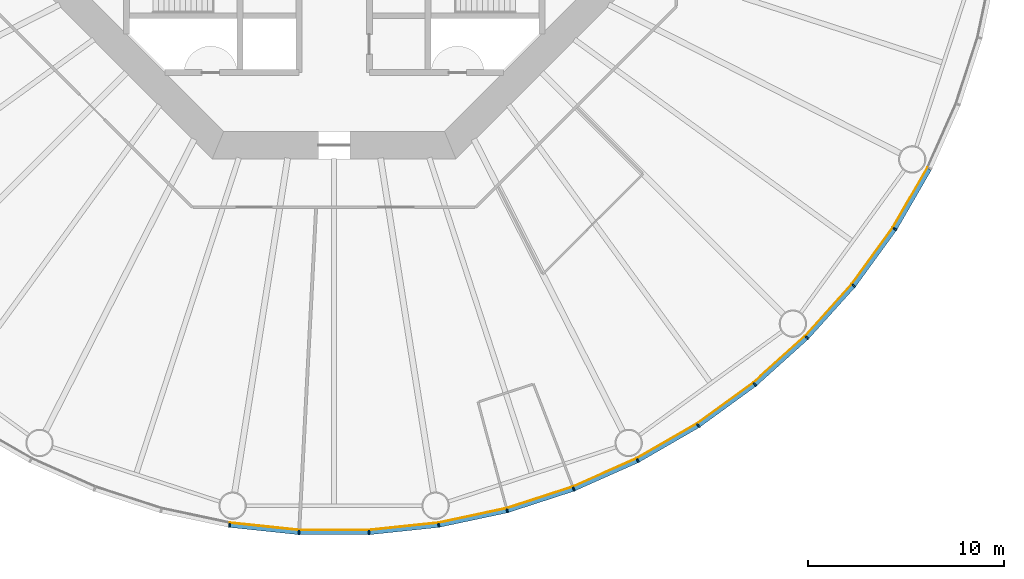
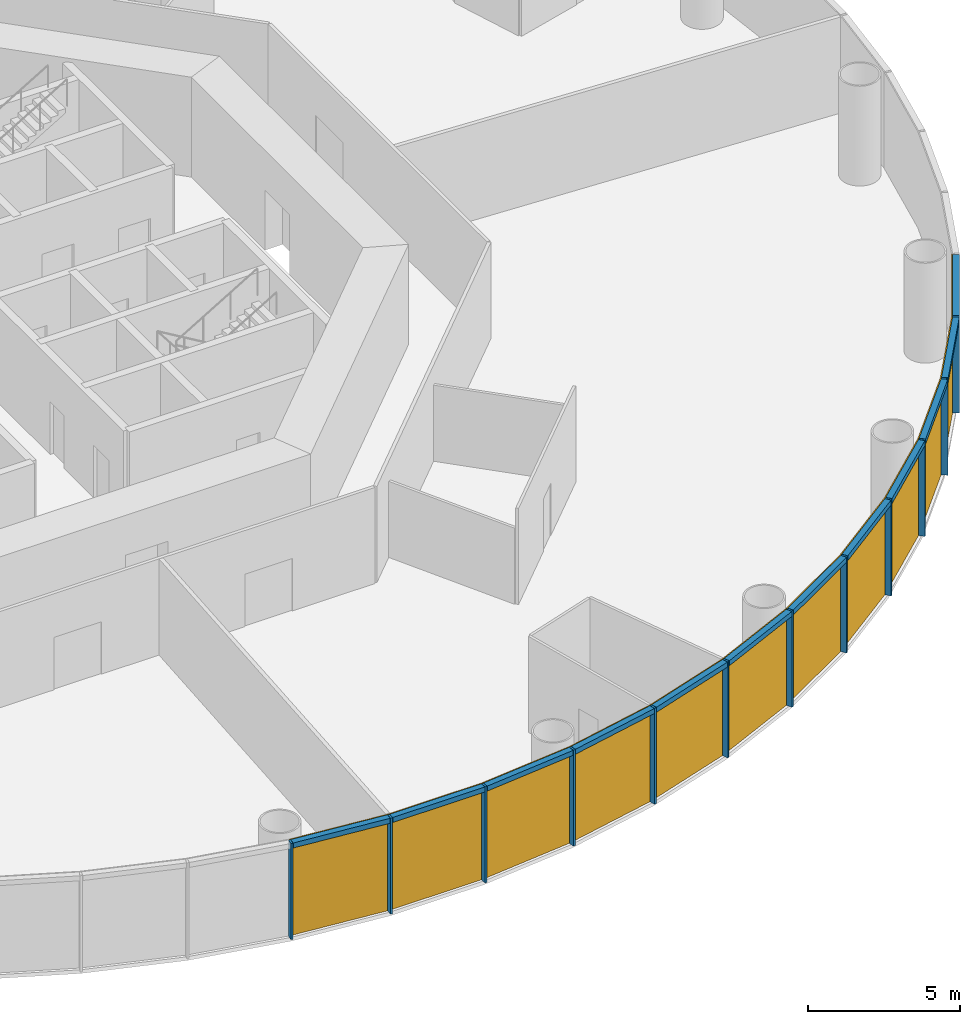
# One storey, part 7 of 12: 24 members, 4 curtain walls.
"""IFC4 building model written with IfcOpenShell, lengths in metres."""

from ifc_helpers import new_model, si_unit, direction, frame, origin, origin_2d, place, context, subcontext, project, spatial, polyline, rectangle, outline, extrude, material, layer, layer_set, material_profile, profile_set, type_object, element, aggregate, save


model = new_model("IFC4")

# Units and contexts
model_context = context("Model", 3, precision=1e-05, world=origin(), true_north=direction((0.0, 1.0)))
body_context = subcontext(model_context, "Body", "Model", "MODEL_VIEW")
ifc_project = project(units=[si_unit("LENGTHUNIT", "METRE"), si_unit("AREAUNIT", "SQUARE_METRE"), si_unit("VOLUMEUNIT", "CUBIC_METRE"), si_unit("PLANEANGLEUNIT", "RADIAN"), si_unit("MASSUNIT", "GRAM", prefix="KILO")], contexts=[model_context])

# Member
ifc_material_1 = material(Name="Anodised aluminium", Category="aluminium")
ifc_material_profile_1 = material_profile(ifc_material_1, rectangle(XDim=0.074951171875, YDim=0.219970703125, at=origin_2d()), Name="Mullion 75 x 220 mm anodised aluminium")
ifc_profile_set_1 = profile_set([ifc_material_profile_1], Name="Anodised aluminium")
member_type_1 = type_object("IfcMemberType", Name="Mullion 75 x 220 mm anodised aluminium", PredefinedType="MULLION", material=ifc_profile_set_1)
site_placement = place(None, origin())
building_placement = place(site_placement, origin())
storey_placement = place(building_placement, frame((0.0, 0.0, 66.0)))
member_1_placement = place(storey_placement, frame((84.6640625, 46.31005859375, 0.0), z_axis=(0.0, 0.0, 1.0), x_axis=(0.987688340595, -0.15643446504, 0.0)))
member_1 = element("IfcMember", 1, at=member_1_placement, type_object=member_type_1, Name="MULLION L14-42", PredefinedType="MULLION", context=body_context, shape_type="SweptSolid", body=[
    extrude(rectangle(XDim=0.074951171875, YDim=0.219970703125, at=origin_2d()), origin(), (0.0, 0.0, 1.0), 3.85009765625),
])

member_2_placement = place(storey_placement, frame((88.21484375, 45.936767578125, 0.0), z_axis=(0.0, 0.0, 1.0), x_axis=(0.998629534755, -0.052335956243, 0.0)))
member_2 = element("IfcMember", 2, at=member_2_placement, type_object=member_type_1, Name="MULLION L14-43", PredefinedType="MULLION", context=body_context, shape_type="SweptSolid", body=[
    extrude(rectangle(XDim=0.074951171875, YDim=0.219970703125, at=origin_2d()), origin(), (0.0, 0.0, 1.0), 3.85009765625),
])

member_3_placement = place(storey_placement, frame((91.78515625, 45.936767578125, 0.0), z_axis=(0.0, 0.0, 1.0), x_axis=(0.998629534755, 0.052335956243, 0.0)))
member_3 = element("IfcMember", 3, at=member_3_placement, type_object=member_type_1, Name="MULLION L14-44", PredefinedType="MULLION", context=body_context, shape_type="SweptSolid", body=[
    extrude(rectangle(XDim=0.074951171875, YDim=0.219970703125, at=origin_2d()), origin(), (0.0, 0.0, 1.0), 3.85009765625),
])

member_4_placement = place(storey_placement, frame((95.3359375, 46.31005859375, 0.0), z_axis=(0.0, 0.0, 1.0), x_axis=(0.987688340595, 0.15643446504, 0.0)))
member_4 = element("IfcMember", 4, at=member_4_placement, type_object=member_type_1, Name="MULLION L14-45", PredefinedType="MULLION", context=body_context, shape_type="SweptSolid", body=[
    extrude(rectangle(XDim=0.074951171875, YDim=0.219970703125, at=origin_2d()), origin(), (0.0, 0.0, 1.0), 3.85009765625),
])

member_5_placement = place(storey_placement, frame((98.828369140625, 47.05224609375, 0.0), z_axis=(0.0, 0.0, 1.0), x_axis=(0.965925826289, 0.258819045103, 0.0)))
member_5 = element("IfcMember", 5, at=member_5_placement, type_object=member_type_1, Name="MULLION L14-46", PredefinedType="MULLION", context=body_context, shape_type="SweptSolid", body=[
    extrude(rectangle(XDim=0.074951171875, YDim=0.219970703125, at=origin_2d()), origin(), (0.0, 0.0, 1.0), 3.85009765625),
])

member_6_placement = place(storey_placement, frame((102.223876953125, 48.155517578125, 0.0), z_axis=(0.0, 0.0, 1.0), x_axis=(0.933580426497, 0.358367949545, 0.0)))
member_6 = element("IfcMember", 6, at=member_6_placement, type_object=member_type_1, Name="MULLION L14-47", PredefinedType="MULLION", context=body_context, shape_type="SweptSolid", body=[
    extrude(rectangle(XDim=0.074951171875, YDim=0.219970703125, at=origin_2d()), origin(), (0.0, 0.0, 1.0), 3.85009765625),
])

member_7_placement = place(storey_placement, frame((105.485595703125, 49.607666015625, 0.0), z_axis=(0.0, 0.0, 1.0), x_axis=(0.891006524188, 0.45399049974, 0.0)))
member_7 = element("IfcMember", 7, at=member_7_placement, type_object=member_type_1, Name="MULLION L14-48", PredefinedType="MULLION", context=body_context, shape_type="SweptSolid", body=[
    extrude(rectangle(XDim=0.074951171875, YDim=0.219970703125, at=origin_2d()), origin(), (0.0, 0.0, 1.0), 3.85009765625),
])

member_8_placement = place(storey_placement, frame((108.57763671875, 51.39306640625, 0.0), z_axis=(0.0, 0.0, 1.0), x_axis=(0.838670567945, 0.544639035015, 0.0)))
member_8 = element("IfcMember", 8, at=member_8_placement, type_object=member_type_1, Name="MULLION L14-49", PredefinedType="MULLION", context=body_context, shape_type="SweptSolid", body=[
    extrude(rectangle(XDim=0.074951171875, YDim=0.219970703125, at=origin_2d()), origin(), (0.0, 0.0, 1.0), 3.85009765625),
])

member_9_placement = place(storey_placement, frame((111.466064453125, 53.491455078125, 0.0), z_axis=(0.0, 0.0, 1.0), x_axis=(0.777145961457, 0.62932039105, 0.0)))
member_9 = element("IfcMember", 9, at=member_9_placement, type_object=member_type_1, Name="MULLION L14-50", PredefinedType="MULLION", context=body_context, shape_type="SweptSolid", body=[
    extrude(rectangle(XDim=0.074951171875, YDim=0.219970703125, at=origin_2d()), origin(), (0.0, 0.0, 1.0), 3.85009765625),
])

member_10_placement = place(storey_placement, frame((114.119384765625, 55.880615234375, 0.0), z_axis=(0.0, 0.0, 1.0), x_axis=(0.707106781187, 0.707106781187, 0.0)))
member_10 = element("IfcMember", 10, at=member_10_placement, type_object=member_type_1, Name="MULLION L14-51", PredefinedType="MULLION", context=body_context, shape_type="SweptSolid", body=[
    extrude(rectangle(XDim=0.074951171875, YDim=0.219970703125, at=origin_2d()), origin(), (0.0, 0.0, 1.0), 3.85009765625),
])

member_11_placement = place(storey_placement, frame((116.508544921875, 58.533935546875, 0.0), z_axis=(0.0, 0.0, 1.0), x_axis=(0.62932039105, 0.777145961457, 0.0)))
member_11 = element("IfcMember", 11, at=member_11_placement, type_object=member_type_1, Name="MULLION L14-52", PredefinedType="MULLION", context=body_context, shape_type="SweptSolid", body=[
    extrude(rectangle(XDim=0.074951171875, YDim=0.219970703125, at=origin_2d()), origin(), (0.0, 0.0, 1.0), 3.85009765625),
])

member_12_placement = place(storey_placement, frame((118.60693359375, 61.42236328125, 0.0), z_axis=(0.0, 0.0, 1.0), x_axis=(0.544639035015, 0.838670567945, 0.0)))
member_12 = element("IfcMember", 12, at=member_12_placement, type_object=member_type_1, Name="MULLION L14-53", PredefinedType="MULLION", context=body_context, shape_type="SweptSolid", body=[
    extrude(rectangle(XDim=0.074951171875, YDim=0.219970703125, at=origin_2d()), origin(), (0.0, 0.0, 1.0), 3.85009765625),
])

ifc_material_2 = material(Name="Anodised aluminium", Category="aluminium")
ifc_material_profile_2 = material_profile(ifc_material_2, rectangle(XDim=0.219970703125, YDim=0.199951171875, at=origin_2d()), Name="Transom 200 x 220 mm anodised aluminium")
ifc_profile_set_2 = profile_set([ifc_material_profile_2], Name="Anodised aluminium")
member_type_2 = type_object("IfcMemberType", Name="Transom 200 x 220 mm anodised aluminium", PredefinedType="USERDEFINED", material=ifc_profile_set_2)
member_13_placement = place(storey_placement, frame((84.70703125, 46.30517578125, 3.75), z_axis=(0.994526551648, -0.104484152234, 0.0), x_axis=(0.104484152234, 0.994526551648, 0.0)))
member_13 = element("IfcMember", 13, at=member_13_placement, type_object=member_type_2, Name="TRANSOM L14-42", ObjectType="TRANSOM", PredefinedType="USERDEFINED", context=body_context, shape_type="SweptSolid", body=[
    extrude(rectangle(XDim=0.219970703125, YDim=0.199951171875, at=origin_2d()), origin(), (0.0, 0.0, 1.0), 3.48388671875),
])

member_14_placement = place(storey_placement, frame((88.258056640625, 45.9365234375, 3.75), z_axis=(1.0, 0.0, 0.0), x_axis=(0.0, 1.0, 0.0)))
member_14 = element("IfcMember", 14, at=member_14_placement, type_object=member_type_2, Name="TRANSOM L14-43", ObjectType="TRANSOM", PredefinedType="USERDEFINED", context=body_context, shape_type="SweptSolid", body=[
    extrude(rectangle(XDim=0.219970703125, YDim=0.199951171875, at=origin_2d()), origin(), (0.0, 0.0, 1.0), 3.48388671875),
])

member_15_placement = place(storey_placement, frame((91.828125, 45.941162109375, 3.75), z_axis=(0.994526551648, 0.104484152234, 0.0), x_axis=(-0.104484152234, 0.994526551648, 0.0)))
member_15 = element("IfcMember", 15, at=member_15_placement, type_object=member_type_2, Name="TRANSOM L14-44", ObjectType="TRANSOM", PredefinedType="USERDEFINED", context=body_context, shape_type="SweptSolid", body=[
    extrude(rectangle(XDim=0.219970703125, YDim=0.199951171875, at=origin_2d()), origin(), (0.0, 0.0, 1.0), 3.48388671875),
])

member_16_placement = place(storey_placement, frame((95.37841796875, 46.31884765625, 3.75), z_axis=(0.978145669426, 0.207920776701, 0.0), x_axis=(-0.207920776701, 0.978145669426, 0.0)))
member_16 = element("IfcMember", 16, at=member_16_placement, type_object=member_type_2, Name="TRANSOM L14-45", ObjectType="TRANSOM", PredefinedType="USERDEFINED", context=body_context, shape_type="SweptSolid", body=[
    extrude(rectangle(XDim=0.219970703125, YDim=0.199951171875, at=origin_2d()), origin(), (0.0, 0.0, 1.0), 3.48388671875),
])

member_17_placement = place(storey_placement, frame((98.869384765625, 47.0654296875, 3.75), z_axis=(0.951052605696, 0.309029029702, 0.0), x_axis=(-0.309029029702, 0.951052605696, 0.0)))
member_17 = element("IfcMember", 17, at=member_17_placement, type_object=member_type_2, Name="TRANSOM L14-46", ObjectType="TRANSOM", PredefinedType="USERDEFINED", context=body_context, shape_type="SweptSolid", body=[
    extrude(rectangle(XDim=0.219970703125, YDim=0.199951171875, at=origin_2d()), origin(), (0.0, 0.0, 1.0), 3.484130859375),
])

member_18_placement = place(storey_placement, frame((102.263427734375, 48.173095703125, 3.75), z_axis=(0.913545487371, 0.406736576304, 0.0), x_axis=(-0.406736576304, 0.913545487371, 0.0)))
member_18 = element("IfcMember", 18, at=member_18_placement, type_object=member_type_2, Name="TRANSOM L14-47", ObjectType="TRANSOM", PredefinedType="USERDEFINED", context=body_context, shape_type="SweptSolid", body=[
    extrude(rectangle(XDim=0.219970703125, YDim=0.199951171875, at=origin_2d()), origin(), (0.0, 0.0, 1.0), 3.48388671875),
])

member_19_placement = place(storey_placement, frame((105.523193359375, 49.629150390625, 3.75), z_axis=(0.866022206254, 0.500005538244, 0.0), x_axis=(-0.500005538244, 0.866022206254, 0.0)))
member_19 = element("IfcMember", 19, at=member_19_placement, type_object=member_type_2, Name="TRANSOM L14-48", ObjectType="TRANSOM", PredefinedType="USERDEFINED", context=body_context, shape_type="SweptSolid", body=[
    extrude(rectangle(XDim=0.219970703125, YDim=0.199951171875, at=origin_2d()), origin(), (0.0, 0.0, 1.0), 3.48388671875),
])

member_20_placement = place(storey_placement, frame((108.61279296875, 51.418212890625, 3.75), z_axis=(0.80899056535, 0.587821627006, 0.0), x_axis=(-0.587821627006, 0.80899056535, 0.0)))
member_20 = element("IfcMember", 20, at=member_20_placement, type_object=member_type_2, Name="TRANSOM L14-49", ObjectType="TRANSOM", PredefinedType="USERDEFINED", context=body_context, shape_type="SweptSolid", body=[
    extrude(rectangle(XDim=0.219970703125, YDim=0.199951171875, at=origin_2d()), origin(), (0.0, 0.0, 1.0), 3.48388671875),
])

member_21_placement = place(storey_placement, frame((111.498291015625, 53.520263671875, 3.75), z_axis=(0.743137329876, 0.669138930974, 0.0), x_axis=(-0.669138930974, 0.743137329876, 0.0)))
member_21 = element("IfcMember", 21, at=member_21_placement, type_object=member_type_2, Name="TRANSOM L14-50", ObjectType="TRANSOM", PredefinedType="USERDEFINED", context=body_context, shape_type="SweptSolid", body=[
    extrude(rectangle(XDim=0.219970703125, YDim=0.199951171875, at=origin_2d()), origin(), (0.0, 0.0, 1.0), 3.484130859375),
])

member_22_placement = place(storey_placement, frame((114.1484375, 55.91259765625, 3.75), z_axis=(0.669138930974, 0.743137329876, 0.0), x_axis=(-0.743137329876, 0.669138930974, 0.0)))
member_22 = element("IfcMember", 22, at=member_22_placement, type_object=member_type_2, Name="TRANSOM L14-51", ObjectType="TRANSOM", PredefinedType="USERDEFINED", context=body_context, shape_type="SweptSolid", body=[
    extrude(rectangle(XDim=0.219970703125, YDim=0.199951171875, at=origin_2d()), origin(), (0.0, 0.0, 1.0), 3.484130859375),
])

member_23_placement = place(storey_placement, frame((116.533935546875, 58.56884765625, 3.75), z_axis=(0.587821627006, 0.80899056535, 0.0), x_axis=(-0.80899056535, 0.587821627006, 0.0)))
member_23 = element("IfcMember", 23, at=member_23_placement, type_object=member_type_2, Name="TRANSOM L14-52", ObjectType="TRANSOM", PredefinedType="USERDEFINED", context=body_context, shape_type="SweptSolid", body=[
    extrude(rectangle(XDim=0.219970703125, YDim=0.199951171875, at=origin_2d()), origin(), (0.0, 0.0, 1.0), 3.48388671875),
])

member_24_placement = place(storey_placement, frame((118.62890625, 61.459716796875, 3.75), z_axis=(0.500005538244, 0.866022206254, 0.0), x_axis=(-0.866022206254, 0.500005538244, 0.0)))
member_24 = element("IfcMember", 24, at=member_24_placement, type_object=member_type_2, Name="TRANSOM L14-53", ObjectType="TRANSOM", PredefinedType="USERDEFINED", context=body_context, shape_type="SweptSolid", body=[
    extrude(rectangle(XDim=0.219970703125, YDim=0.199951171875, at=origin_2d()), origin(), (0.0, 0.0, 1.0), 3.48388671875),
])

# Site, building, storey
site = spatial("IfcSite", under=ifc_project, at=site_placement, CompositionType="ELEMENT")
building = spatial("IfcBuilding", under=site, at=building_placement, Name="Entoto Ring Tower", CompositionType="ELEMENT")
storey = spatial("IfcBuildingStorey", under=building, at=storey_placement, Name="L14", CompositionType="ELEMENT", Elevation=66.0)

# Curtain wall
ifc_material_3 = material(Name="Clear low-iron glass", Category="glass")
ifc_layer = layer(ifc_material_3, 0.0400390625)
ifc_layer_set = layer_set([ifc_layer], Name="Clear low-iron glass")
curtain_wall_type = type_object("IfcCurtainWallType", Name="Curtain wall system CW1 glazing 40 mm", PredefinedType="NOTDEFINED", material=ifc_layer_set)
curtain_wall_1_placement = place(storey_placement, origin())
curtain_wall_1 = element("IfcCurtainWall", 25, at=curtain_wall_1_placement, inside=storey, type_object=curtain_wall_type, Name="CW1 L14-15", PredefinedType="NOTDEFINED", context=body_context, shape_type="SweptSolid", body=[
    extrude(outline(polyline([(84.68115234375, 46.418701171875), (88.220458984375, 46.046630859375), (91.779541015625, 46.046630859375), (95.31884765625, 46.418701171875), (95.3125, 46.458251953125), (91.77734375, 46.086669921875), (88.22265625, 46.086669921875), (84.6875, 46.458251953125), (84.68115234375, 46.418701171875)])), origin(), (0.0, 0.0, 1.0), 3.85009765625),
])

aggregate(curtain_wall_1, [member_1, member_2, member_3, member_13, member_14, member_15])

curtain_wall_2_placement = place(storey_placement, origin())
curtain_wall_2 = element("IfcCurtainWall", 26, at=curtain_wall_2_placement, inside=storey, type_object=curtain_wall_type, Name="CW1 L14-16", PredefinedType="NOTDEFINED", context=body_context, shape_type="SweptSolid", body=[
    extrude(outline(polyline([(95.31884765625, 46.418701171875), (98.7998046875, 47.158447265625), (102.1845703125, 48.25830078125), (105.435791015625, 49.705810546875), (105.41748046875, 49.741455078125), (102.170166015625, 48.295654296875), (98.78955078125, 47.197265625), (95.3125, 46.458251953125), (95.31884765625, 46.418701171875)])), origin(), (0.0, 0.0, 1.0), 3.85009765625),
])

aggregate(curtain_wall_2, [member_4, member_5, member_6, member_16, member_17, member_18])

curtain_wall_3_placement = place(storey_placement, origin())
curtain_wall_3 = element("IfcCurtainWall", 27, at=curtain_wall_3_placement, inside=storey, type_object=curtain_wall_type, Name="CW1 L14-17", PredefinedType="NOTDEFINED", context=body_context, shape_type="SweptSolid", body=[
    extrude(outline(polyline([(105.435791015625, 49.705810546875), (108.517822265625, 51.485107421875), (111.39697265625, 53.5771484375), (114.041748046875, 55.958251953125), (114.013427734375, 55.986572265625), (111.37158203125, 53.608154296875), (108.495849609375, 51.518798828125), (105.41748046875, 49.741455078125), (105.435791015625, 49.705810546875)])), origin(), (0.0, 0.0, 1.0), 3.85009765625),
])

aggregate(curtain_wall_3, [member_7, member_8, member_9, member_19, member_20, member_21])

curtain_wall_4_placement = place(storey_placement, origin())
curtain_wall_4 = element("IfcCurtainWall", 28, at=curtain_wall_4_placement, inside=storey, type_object=curtain_wall_type, Name="CW1 L14-18", PredefinedType="NOTDEFINED", context=body_context, shape_type="SweptSolid", body=[
    extrude(outline(polyline([(114.041748046875, 55.958251953125), (116.4228515625, 58.60302734375), (118.514892578125, 61.482177734375), (120.294189453125, 64.564208984375), (120.258544921875, 64.58251953125), (118.481201171875, 61.504150390625), (116.391845703125, 58.62841796875), (114.013427734375, 55.986572265625), (114.041748046875, 55.958251953125)])), origin(), (0.0, 0.0, 1.0), 3.85009765625),
])

aggregate(curtain_wall_4, [member_10, member_11, member_12, member_22, member_23, member_24])

save(model, "model.ifc")
